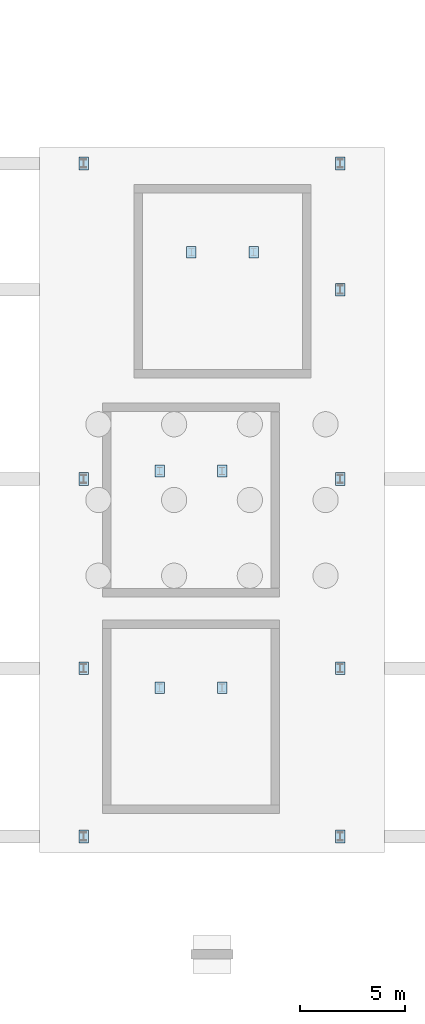
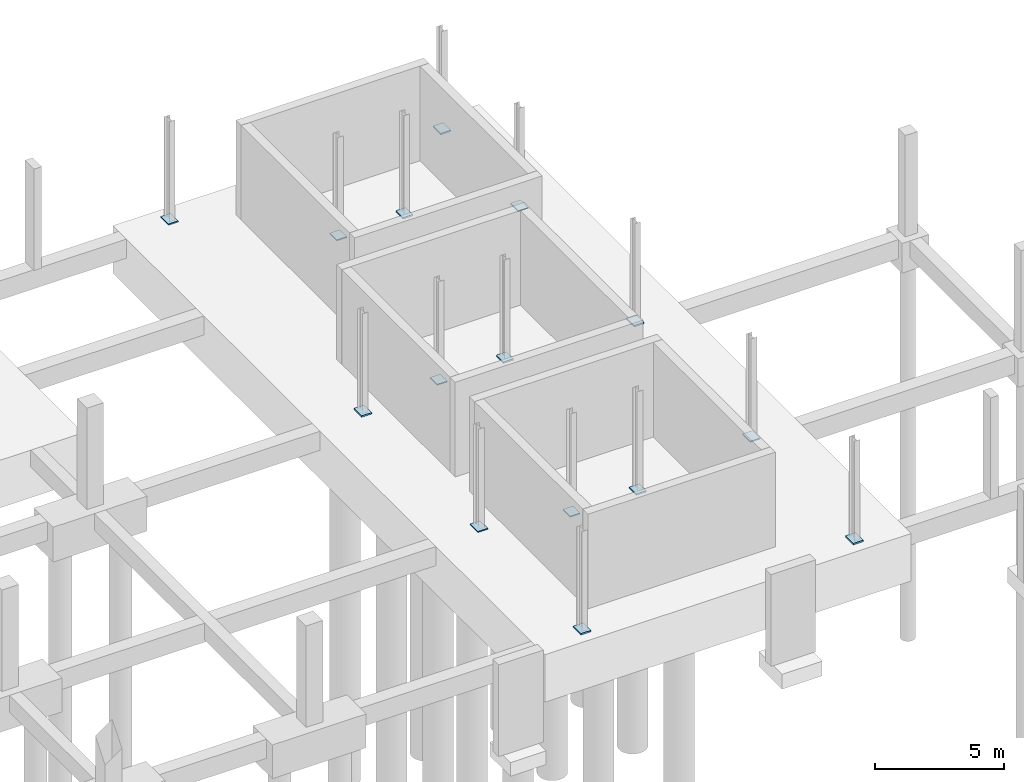
# One storey, part 24 of 32: 15 plates.
"""IFC4 building model written with IfcOpenShell, lengths in metres."""

from ifc_helpers import new_model, si_unit, derived_unit, direction, frame, origin, origin_2d, place, context, subcontext, project, spatial, rectangle, extrude, material, layer, layer_set, type_object, element, save


model = new_model("IFC4")

# Units and contexts
model_context = context("Model", 3, precision=1e-05, world=origin(), true_north=direction((0.0, 1.0)))
body_context = subcontext(model_context, "Body", "Model", "MODEL_VIEW")
ifc_project = project(units=[si_unit("LENGTHUNIT", "METRE"), si_unit("AREAUNIT", "SQUARE_METRE"), si_unit("VOLUMEUNIT", "CUBIC_METRE"), si_unit("PLANEANGLEUNIT", "RADIAN"), si_unit("MASSUNIT", "GRAM", prefix="KILO"), derived_unit("THERMALTRANSMITTANCEUNIT", [(si_unit("POWERUNIT", "WATT"), 1), (si_unit("LENGTHUNIT", "METRE"), -2), (si_unit("THERMODYNAMICTEMPERATUREUNIT", "KELVIN"), -1)])], contexts=[model_context])

# Site, building, storey
site_placement = place(None, origin())
site = spatial("IfcSite", under=ifc_project, at=site_placement, CompositionType="ELEMENT")
building_placement = place(site_placement, origin())
building = spatial("IfcBuilding", under=site, at=building_placement, Name="Nallur Shell Playhouse", CompositionType="ELEMENT")
storey_placement = place(building_placement, frame((0.0, 0.0, -4.800048828125)))
storey = spatial("IfcBuildingStorey", under=building, at=storey_placement, Name="B1", CompositionType="ELEMENT", Elevation=-4.800048828125)

# Plates
ifc_material = material(Name="Steel E350", Category="steel")
ifc_layer_1 = layer(ifc_material, 0.050048828125)
ifc_layer_set_1 = layer_set([ifc_layer_1], Name="Steel E350")
plate_type_1 = type_object("IfcPlateType", Name="PT-BASE-50", PredefinedType="SHEET", material=ifc_layer_set_1)
for number, where, z_axis, x_axis, name in (
    (1, (147.60009765625, 32.0, 0.0), (0.0, 0.0, 1.0), (1.0, 0.0, 0.0), "Steel column base plate BP-017"),
    (2, (147.60009765625, 56.0, 0.0), (0.0, 0.0, 1.0), (1.0, 0.0, 0.0), "Steel column base plate BP-019"),
    (3, (159.800048828125, 32.0, 0.0), (0.0, 0.0, 1.0), (1.0, 0.0, 0.0), "Steel column base plate BP-021"),
    (4, (159.800048828125, 50.0, 0.0), (0.0, 0.0, 1.0), (1.0, 0.0, 0.0), "Steel column base plate BP-023"),
):
    element("IfcPlate", number, at=place(storey_placement, frame(where, z_axis=z_axis, x_axis=x_axis)), inside=storey, type_object=plate_type_1, Name=name, PredefinedType="SHEET", context=body_context, shape_type="SweptSolid", body=[
        extrude(rectangle(XDim=0.449951171875, YDim=0.60009765625, at=origin_2d()), origin(), (0.0, 0.0, 1.0), 0.050048828125),
    ])
for number, where, z_axis, x_axis, name in (
    (5, (152.719970703125, 51.780029296875, 0.0), (0.0, 0.0, 1.0), (1.0, 0.0, 0.0), "Steel column base plate BP-047"),
    (6, (151.219970703125, 31.080078125, 0.0), (0.0, 0.0, 1.0), (1.0, 0.0, 0.0), "Steel column base plate BP-053"),
    (7, (151.219970703125, 41.3798828125, 0.0), (0.0, 0.0, 1.0), (1.0, 0.0, 0.0), "Steel column base plate BP-055"),
):
    element("IfcPlate", number, at=place(storey_placement, frame(where, z_axis=z_axis, x_axis=x_axis)), inside=storey, type_object=plate_type_1, Name=name, PredefinedType="SHEET", context=body_context, shape_type="SweptSolid", body=[
        extrude(rectangle(XDim=0.449951171875, YDim=0.550048828125, at=origin_2d()), origin(), (0.0, 0.0, 1.0), 0.050048828125),
    ])
ifc_layer_2 = layer(ifc_material, 0.070068359375)
ifc_layer_set_2 = layer_set([ifc_layer_2], Name="Steel E350")
plate_type_2 = type_object("IfcPlateType", Name="PT-BEAR-70", PredefinedType="SHEET", material=ifc_layer_set_2)
for number, where, z_axis, x_axis, name in (
    (8, (147.60009765625, 24.0, 0.0), (0.0, 0.0, 1.0), (1.0, 0.0, 0.0), "Steel column base plate BP-016"),
    (9, (147.60009765625, 41.0, 0.0), (0.0, 0.0, 1.0), (1.0, 0.0, 0.0), "Steel column base plate BP-018"),
    (10, (159.800048828125, 24.0, 0.0), (0.0, 0.0, 1.0), (1.0, 0.0, 0.0), "Steel column base plate BP-020"),
    (11, (159.800048828125, 41.0, 0.0), (0.0, 0.0, 1.0), (1.0, 0.0, 0.0), "Steel column base plate BP-022"),
    (12, (159.800048828125, 56.0, 0.0), (0.0, 0.0, 1.0), (1.0, 0.0, 0.0), "Steel column base plate BP-024"),
):
    element("IfcPlate", number, at=place(storey_placement, frame(where, z_axis=z_axis, x_axis=x_axis)), inside=storey, type_object=plate_type_2, Name=name, PredefinedType="SHEET", context=body_context, shape_type="SweptSolid", body=[
        extrude(rectangle(XDim=0.449951171875, YDim=0.60009765625, at=origin_2d()), origin(), (0.0, 0.0, 1.0), 0.070068359375),
    ])
for number, where, z_axis, x_axis, name in (
    (13, (155.679931640625, 51.780029296875, 0.0), (0.0, 0.0, 1.0), (1.0, 0.0, 0.0), "Steel column base plate BP-048"),
    (14, (154.179931640625, 31.080078125, 0.0), (0.0, 0.0, 1.0), (1.0, 0.0, 0.0), "Steel column base plate BP-054"),
    (15, (154.179931640625, 41.3798828125, 0.0), (0.0, 0.0, 1.0), (1.0, 0.0, 0.0), "Steel column base plate BP-056"),
):
    element("IfcPlate", number, at=place(storey_placement, frame(where, z_axis=z_axis, x_axis=x_axis)), inside=storey, type_object=plate_type_2, Name=name, PredefinedType="SHEET", context=body_context, shape_type="SweptSolid", body=[
        extrude(rectangle(XDim=0.449951171875, YDim=0.550048828125, at=origin_2d()), origin(), (0.0, 0.0, 1.0), 0.070068359375),
    ])

save(model, "model.ifc")
